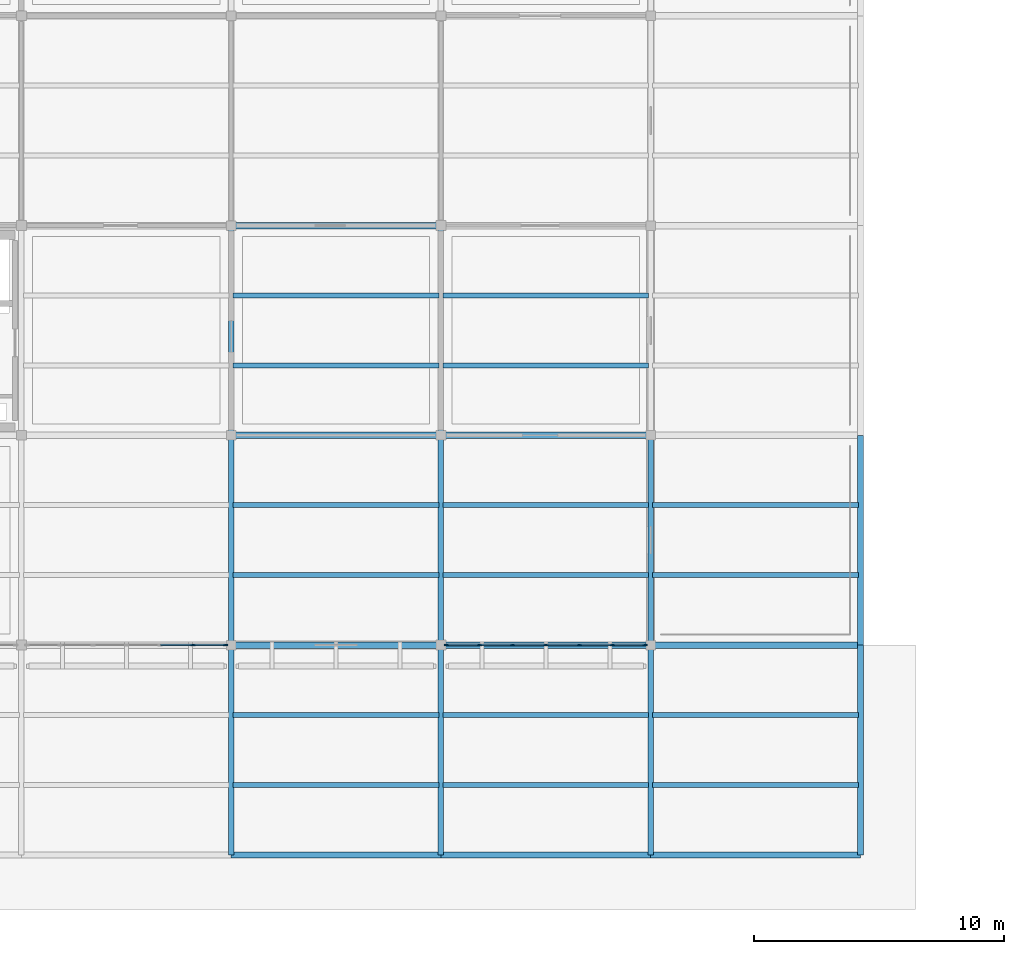
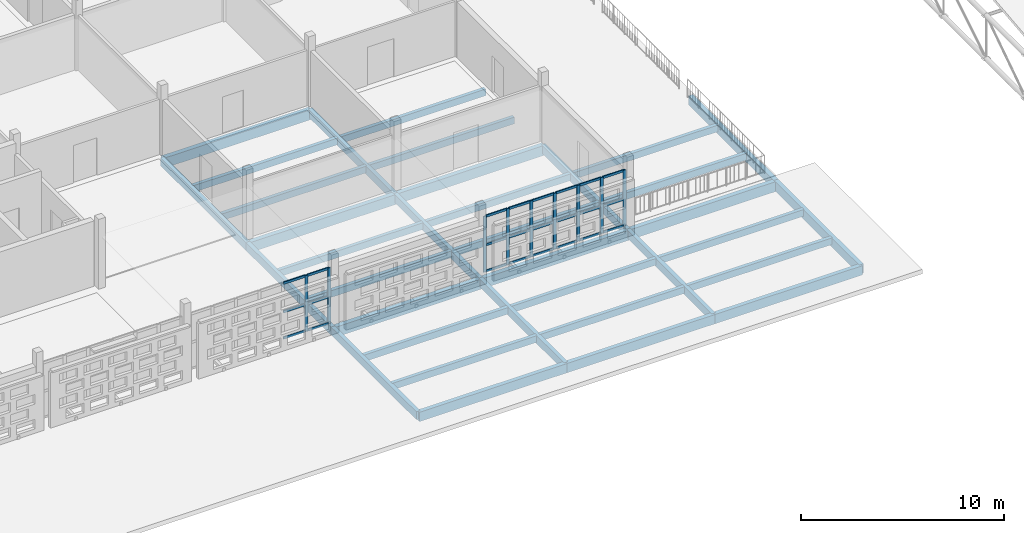
# One storey, part 16 of 140: 35 beams, 33 members, 2 elements without a shape of their own.
"""IFC4 building model written with IfcOpenShell, lengths in metres."""

from ifc_helpers import new_model, si_unit, direction, frame, origin, origin_2d, place, context, subcontext, project, spatial, rectangle, extrude, material, layer, layer_set, material_profile, profile_set, type_object, element, aggregate, save


model = new_model("IFC4")

# Units and contexts
model_context = context("Model", 3, precision=1e-05, world=origin(), true_north=direction((0.0, 1.0)))
body_context = subcontext(model_context, "Body", "Model", "MODEL_VIEW")
ifc_project = project(units=[si_unit("LENGTHUNIT", "METRE"), si_unit("AREAUNIT", "SQUARE_METRE"), si_unit("VOLUMEUNIT", "CUBIC_METRE"), si_unit("PLANEANGLEUNIT", "RADIAN"), si_unit("MASSUNIT", "GRAM", prefix="KILO")], contexts=[model_context])

# Site, building, storey
site_placement = place(None, origin())
site = spatial("IfcSite", under=ifc_project, at=site_placement, CompositionType="ELEMENT")
building_placement = place(site_placement, origin())
building = spatial("IfcBuilding", under=site, at=building_placement, Name="Varnapada Polytechnic", CompositionType="ELEMENT")
storey_placement = place(building_placement, frame((0.0, 0.0, 13.800048828125)))
storey = spatial("IfcBuildingStorey", under=building, at=storey_placement, Name="L03", CompositionType="ELEMENT", Elevation=13.800048828125)

# Beams
ifc_material_1 = material(Name="Glulam GL32h", Category="wood")
ifc_material_profile_1 = material_profile(ifc_material_1, rectangle(XDim=0.199951171875, YDim=0.39990234375, at=origin_2d()), Name="GL 200x400")
ifc_profile_set_1 = profile_set([ifc_material_profile_1], Name="Glulam GL32h")
beam_type_1 = type_object("IfcBeamType", Name="Library/laboratory glulam floor joist GJ-01 (GL 200x400)", PredefinedType="JOIST", material=ifc_profile_set_1)
for number, where, z_axis, x_axis, name in (
    (1, (33.679931640625, 2.800048828125, -0.469970703125), (1.0, 0.0, 0.0), (0.0, 1.0, 0.0), "L03 floor joist 5/1.1"),
    (2, (33.679931640625, 5.60009765625, -0.469970703125), (1.0, 0.0, 0.0), (0.0, 1.0, 0.0), "L03 floor joist 5/1.2"),
    (3, (33.679931640625, 11.199951171875, -0.469970703125), (1.0, 0.0, 0.0), (0.0, 1.0, 0.0), "L03 floor joist 5/2.1"),
    (4, (33.679931640625, 14.0, -0.469970703125), (1.0, 0.0, 0.0), (0.0, 1.0, 0.0), "L03 floor joist 5/2.2"),
    (5, (33.679931640625, 19.60009765625, -0.469970703125), (1.0, 0.0, 0.0), (0.0, 1.0, 0.0), "L03 floor joist 5/3.1"),
    (6, (33.679931640625, 22.39990234375, -0.469970703125), (1.0, 0.0, 0.0), (0.0, 1.0, 0.0), "L03 floor joist 5/3.2"),
    (7, (42.080078125, 2.800048828125, -0.469970703125), (1.0, 0.0, 0.0), (0.0, 1.0, 0.0), "L03 floor joist 6/1.1"),
    (8, (42.080078125, 5.60009765625, -0.469970703125), (1.0, 0.0, 0.0), (0.0, 1.0, 0.0), "L03 floor joist 6/1.2"),
    (9, (42.080078125, 11.199951171875, -0.469970703125), (1.0, 0.0, 0.0), (0.0, 1.0, 0.0), "L03 floor joist 6/2.1"),
    (10, (42.080078125, 14.0, -0.469970703125), (1.0, 0.0, 0.0), (0.0, 1.0, 0.0), "L03 floor joist 6/2.2"),
    (11, (42.080078125, 19.60009765625, -0.469970703125), (1.0, 0.0, 0.0), (0.0, 1.0, 0.0), "L03 floor joist 6/3.1"),
    (12, (42.080078125, 22.39990234375, -0.469970703125), (1.0, 0.0, 0.0), (0.0, 1.0, 0.0), "L03 floor joist 6/3.2"),
    (13, (50.47998046875, 2.800048828125, -0.469970703125), (1.0, 0.0, 0.0), (0.0, 1.0, 0.0), "L03 floor joist 7/1.1"),
    (14, (50.47998046875, 5.60009765625, -0.469970703125), (1.0, 0.0, 0.0), (0.0, 1.0, 0.0), "L03 floor joist 7/1.2"),
    (15, (50.47998046875, 11.199951171875, -0.469970703125), (1.0, 0.0, 0.0), (0.0, 1.0, 0.0), "L03 floor joist 7/2.1"),
    (16, (50.47998046875, 14.0, -0.469970703125), (1.0, 0.0, 0.0), (0.0, 1.0, 0.0), "L03 floor joist 7/2.2"),
):
    element("IfcBeam", number, at=place(storey_placement, frame(where, z_axis=z_axis, x_axis=x_axis)), inside=storey, type_object=beam_type_1, Name=name, PredefinedType="JOIST", context=body_context, shape_type="SweptSolid", body=[
        extrude(rectangle(XDim=0.199951171875, YDim=0.39990234375, at=origin_2d()), origin(), (0.0, 0.0, 1.0), 8.239990234375),
    ])

# Curtain wall, members
ifc_material_2 = material(Name="Double low-E laminated glass", Category="glass")
ifc_layer = layer(ifc_material_2, 0.179931640625)
ifc_layer_set = layer_set([ifc_layer], Name="Double low-E laminated glass")
curtain_wall_type = type_object("IfcCurtainWallType", Name="Curtain Wall CW-03", PredefinedType="NOTDEFINED", material=ifc_layer_set)
curtain_wall_1_placement = place(storey_placement, origin())
curtain_wall_1 = element("IfcCurtainWall", 17, at=curtain_wall_1_placement, inside=storey, type_object=curtain_wall_type, Name="L03 unitised curtain wall CW-03 (216)", PredefinedType="NOTDEFINED")
ifc_material_3 = material(Name="Anodised aluminium", Category="aluminium")
ifc_material_profile_2 = material_profile(ifc_material_3, rectangle(XDim=0.06494140625, YDim=0.179931640625, at=origin_2d()), Name="ALU M65x180")
ifc_profile_set_2 = profile_set([ifc_material_profile_2], Name="Anodised aluminium")
member_type_1 = type_object("IfcMemberType", Name="Mullion M-02", PredefinedType="MULLION", material=ifc_profile_set_2)
member_1_placement = place(storey_placement, frame((33.37744140625, 8.39990234375, 0.0), z_axis=(0.0, 0.0, 1.0), x_axis=(0.0, -1.0, 0.0)))
member_1 = element("IfcMember", 18, at=member_1_placement, type_object=member_type_1, Name="CW-03 mullion 1", PredefinedType="MULLION", context=body_context, shape_type="SweptSolid", body=[
    extrude(rectangle(XDim=0.06494140625, YDim=0.179931640625, at=origin_2d()), origin(), (0.0, 0.0, 1.0), 3.35986328125),
])
member_2_placement = place(storey_placement, frame((32.074951171875, 8.39990234375, 0.0), z_axis=(0.0, 0.0, 1.0), x_axis=(0.0, -1.0, 0.0)))
member_2 = element("IfcMember", 19, at=member_2_placement, type_object=member_type_1, Name="CW-03 mullion 2", PredefinedType="MULLION", context=body_context, shape_type="SweptSolid", body=[
    extrude(rectangle(XDim=0.06494140625, YDim=0.179931640625, at=origin_2d()), origin(), (0.0, 0.0, 1.0), 3.35986328125),
])

curtain_wall_2_placement = place(storey_placement, origin())
curtain_wall_2 = element("IfcCurtainWall", 20, at=curtain_wall_2_placement, inside=storey, type_object=curtain_wall_type, Name="L03 unitised curtain wall CW-03 (223)", PredefinedType="NOTDEFINED")
member_3_placement = place(storey_placement, frame((50.177490234375, 8.39990234375, 0.0), z_axis=(0.0, 0.0, 1.0), x_axis=(0.0, -1.0, 0.0)))
member_3 = element("IfcMember", 21, at=member_3_placement, type_object=member_type_1, Name="CW-03 mullion 1", PredefinedType="MULLION", context=body_context, shape_type="SweptSolid", body=[
    extrude(rectangle(XDim=0.06494140625, YDim=0.179931640625, at=origin_2d()), origin(), (0.0, 0.0, 1.0), 3.35986328125),
])
member_4_placement = place(storey_placement, frame((48.875, 8.39990234375, 0.0), z_axis=(0.0, 0.0, 1.0), x_axis=(0.0, -1.0, 0.0)))
member_4 = element("IfcMember", 22, at=member_4_placement, type_object=member_type_1, Name="CW-03 mullion 2", PredefinedType="MULLION", context=body_context, shape_type="SweptSolid", body=[
    extrude(rectangle(XDim=0.06494140625, YDim=0.179931640625, at=origin_2d()), origin(), (0.0, 0.0, 1.0), 3.35986328125),
])
member_5_placement = place(storey_placement, frame((47.5400390625, 8.39990234375, 0.0), z_axis=(0.0, 0.0, 1.0), x_axis=(0.0, -1.0, 0.0)))
member_5 = element("IfcMember", 23, at=member_5_placement, type_object=member_type_1, Name="CW-03 mullion 3", PredefinedType="MULLION", context=body_context, shape_type="SweptSolid", body=[
    extrude(rectangle(XDim=0.06494140625, YDim=0.179931640625, at=origin_2d()), origin(), (0.0, 0.0, 1.0), 3.35986328125),
])
member_6_placement = place(storey_placement, frame((46.205078125, 8.39990234375, 0.0), z_axis=(0.0, 0.0, 1.0), x_axis=(0.0, -1.0, 0.0)))
member_6 = element("IfcMember", 24, at=member_6_placement, type_object=member_type_1, Name="CW-03 mullion 4", PredefinedType="MULLION", context=body_context, shape_type="SweptSolid", body=[
    extrude(rectangle(XDim=0.06494140625, YDim=0.179931640625, at=origin_2d()), origin(), (0.0, 0.0, 1.0), 3.35986328125),
])
member_7_placement = place(storey_placement, frame((44.8701171875, 8.39990234375, 0.0), z_axis=(0.0, 0.0, 1.0), x_axis=(0.0, -1.0, 0.0)))
member_7 = element("IfcMember", 25, at=member_7_placement, type_object=member_type_1, Name="CW-03 mullion 5", PredefinedType="MULLION", context=body_context, shape_type="SweptSolid", body=[
    extrude(rectangle(XDim=0.06494140625, YDim=0.179931640625, at=origin_2d()), origin(), (0.0, 0.0, 1.0), 3.35986328125),
])
member_8_placement = place(storey_placement, frame((43.534912109375, 8.39990234375, 0.0), z_axis=(0.0, 0.0, 1.0), x_axis=(0.0, -1.0, 0.0)))
member_8 = element("IfcMember", 26, at=member_8_placement, type_object=member_type_1, Name="CW-03 mullion 6", PredefinedType="MULLION", context=body_context, shape_type="SweptSolid", body=[
    extrude(rectangle(XDim=0.06494140625, YDim=0.179931640625, at=origin_2d()), origin(), (0.0, 0.0, 1.0), 3.35986328125),
])
member_9_placement = place(storey_placement, frame((42.232421875, 8.39990234375, 0.0), z_axis=(0.0, 0.0, 1.0), x_axis=(0.0, -1.0, 0.0)))
member_9 = element("IfcMember", 27, at=member_9_placement, type_object=member_type_1, Name="CW-03 mullion 7", PredefinedType="MULLION", context=body_context, shape_type="SweptSolid", body=[
    extrude(rectangle(XDim=0.06494140625, YDim=0.179931640625, at=origin_2d()), origin(), (0.0, 0.0, 1.0), 3.35986328125),
])

# Beams
ifc_material_profile_3 = material_profile(ifc_material_1, rectangle(XDim=0.239990234375, YDim=0.56005859375, at=origin_2d()), Name="GL 240x560")
ifc_profile_set_3 = profile_set([ifc_material_profile_3], Name="Glulam GL32h")
beam_type_2 = type_object("IfcBeamType", Name="Perimeter glulam spandrel beam SP-02 (GL 240x560)", PredefinedType="SPANDREL", material=ifc_profile_set_3)
for number, where, z_axis, x_axis, name in (
    (28, (33.60009765625, 0.0, -0.550048828125), (1.0, 0.0, 0.0), (0.0, 1.0, 0.0), "L03 beam X 5-6 at Y1"),
    (29, (42.0, 0.0, -0.550048828125), (1.0, 0.0, 0.0), (0.0, 1.0, 0.0), "L03 beam X 6-7 at Y1"),
):
    element("IfcBeam", number, at=place(storey_placement, frame(where, z_axis=z_axis, x_axis=x_axis)), inside=storey, type_object=beam_type_2, Name=name, PredefinedType="SPANDREL", context=body_context, shape_type="SweptSolid", body=[
        extrude(rectangle(XDim=0.239990234375, YDim=0.56005859375, at=origin_2d()), origin(), (0.0, 0.0, 1.0), 8.39990234375),
    ])
beam_1_placement = place(storey_placement, frame((50.39990234375, 0.0, -0.550048828125), z_axis=(1.0, 0.0, 0.0), x_axis=(0.0, 1.0, 0.0)))
element("IfcBeam", 30, at=beam_1_placement, inside=storey, type_object=beam_type_2, Name="L03 beam X 7-8 at Y1", PredefinedType="SPANDREL", context=body_context, shape_type="SweptSolid", body=[
    extrude(rectangle(XDim=0.239990234375, YDim=0.56005859375, at=origin_2d()), origin(), (0.0, 0.0, 1.0), 8.400146484375),
])
beam_2_placement = place(storey_placement, frame((58.800048828125, 0.0, -0.550048828125), z_axis=(0.0, 1.0, 0.0), x_axis=(-1.0, 0.0, 0.0)))
element("IfcBeam", 31, at=beam_2_placement, inside=storey, type_object=beam_type_2, Name="L03 beam Y 1-2 at X8", PredefinedType="SPANDREL", context=body_context, shape_type="SweptSolid", body=[
    extrude(rectangle(XDim=0.239990234375, YDim=0.56005859375, at=origin_2d()), origin(), (0.0, 0.0, 1.0), 8.39990234375),
])
beam_3_placement = place(storey_placement, frame((58.800048828125, 8.39990234375, -0.550048828125), z_axis=(0.0, 1.0, 0.0), x_axis=(-1.0, 0.0, 0.0)))
element("IfcBeam", 32, at=beam_3_placement, inside=storey, type_object=beam_type_2, Name="L03 beam Y 2-3 at X8", PredefinedType="SPANDREL", context=body_context, shape_type="SweptSolid", body=[
    extrude(rectangle(XDim=0.239990234375, YDim=0.56005859375, at=origin_2d()), origin(), (0.0, 0.0, 1.0), 8.400146484375),
])
ifc_material_profile_4 = material_profile(ifc_material_1, rectangle(XDim=0.260009765625, YDim=0.60009765625, at=origin_2d()), Name="GL 260x600")
ifc_profile_set_4 = profile_set([ifc_material_profile_4], Name="Glulam GL32h")
beam_type_3 = type_object("IfcBeamType", Name="Seminar wing glulam girder GG-05 (GL 260x600)", PredefinedType="BEAM", material=ifc_profile_set_4)
for number, where, z_axis, x_axis, name in (
    (33, (33.60009765625, 8.39990234375, -0.570068359375), (1.0, 0.0, 0.0), (0.0, 1.0, 0.0), "L03 beam X 5-6 at Y2"),
    (34, (33.60009765625, 16.800048828125, -0.570068359375), (1.0, 0.0, 0.0), (0.0, 1.0, 0.0), "L03 beam X 5-6 at Y3"),
    (35, (33.60009765625, 25.199951171875, -0.570068359375), (1.0, 0.0, 0.0), (0.0, 1.0, 0.0), "L03 beam X 5-6 at Y4"),
    (36, (42.0, 8.39990234375, -0.570068359375), (1.0, 0.0, 0.0), (0.0, 1.0, 0.0), "L03 beam X 6-7 at Y2"),
    (37, (42.0, 16.800048828125, -0.570068359375), (1.0, 0.0, 0.0), (0.0, 1.0, 0.0), "L03 beam X 6-7 at Y3"),
):
    element("IfcBeam", number, at=place(storey_placement, frame(where, z_axis=z_axis, x_axis=x_axis)), inside=storey, type_object=beam_type_3, Name=name, PredefinedType="BEAM", context=body_context, shape_type="SweptSolid", body=[
        extrude(rectangle(XDim=0.260009765625, YDim=0.60009765625, at=origin_2d()), origin(), (0.0, 0.0, 1.0), 8.39990234375),
    ])
beam_4_placement = place(storey_placement, frame((50.39990234375, 8.39990234375, -0.570068359375), z_axis=(1.0, 0.0, 0.0), x_axis=(0.0, 1.0, 0.0)))
element("IfcBeam", 38, at=beam_4_placement, inside=storey, type_object=beam_type_3, Name="L03 beam X 7-8 at Y2", PredefinedType="BEAM", context=body_context, shape_type="SweptSolid", body=[
    extrude(rectangle(XDim=0.260009765625, YDim=0.60009765625, at=origin_2d()), origin(), (0.0, 0.0, 1.0), 8.400146484375),
])

# Member
ifc_material_profile_5 = material_profile(ifc_material_3, rectangle(XDim=0.06494140625, YDim=0.139892578125, at=origin_2d()), Name="ALU T65x140")
ifc_profile_set_5 = profile_set([ifc_material_profile_5], Name="Anodised aluminium")
member_type_2 = type_object("IfcMemberType", Name="Transom T-02", PredefinedType="USERDEFINED", material=ifc_profile_set_5)
member_10_placement = place(storey_placement, frame((33.344970703125, 8.39990234375, 0.032470703125), z_axis=(-1.0, 0.0, 0.0), x_axis=(0.0, -1.0, 0.0)))
member_10 = element("IfcMember", 39, at=member_10_placement, type_object=member_type_2, Name="CW-03 transom 1.1", ObjectType="TRANSOM", PredefinedType="USERDEFINED", context=body_context, shape_type="SweptSolid", body=[
    extrude(rectangle(XDim=0.06494140625, YDim=0.139892578125, at=origin_2d()), origin(), (0.0, 0.0, 1.0), 1.237548828125),
])

member_11_placement = place(storey_placement, frame((33.344970703125, 8.39990234375, 1.61279296875), z_axis=(-1.0, 0.0, 0.0), x_axis=(0.0, -1.0, 0.0)))
member_11 = element("IfcMember", 40, at=member_11_placement, type_object=member_type_2, Name="CW-03 transom 1.2", ObjectType="TRANSOM", PredefinedType="USERDEFINED", context=body_context, shape_type="SweptSolid", body=[
    extrude(rectangle(XDim=0.06494140625, YDim=0.139892578125, at=origin_2d()), origin(), (0.0, 0.0, 1.0), 1.237548828125),
])

member_12_placement = place(storey_placement, frame((33.344970703125, 8.39990234375, 3.327392578125), z_axis=(-1.0, 0.0, 0.0), x_axis=(0.0, -1.0, 0.0)))
member_12 = element("IfcMember", 41, at=member_12_placement, type_object=member_type_2, Name="CW-03 transom 1.3", ObjectType="TRANSOM", PredefinedType="USERDEFINED", context=body_context, shape_type="SweptSolid", body=[
    extrude(rectangle(XDim=0.06494140625, YDim=0.139892578125, at=origin_2d()), origin(), (0.0, 0.0, 1.0), 1.237548828125),
])

member_13_placement = place(storey_placement, frame((32.04248046875, 8.39990234375, 0.032470703125), z_axis=(-1.0, 0.0, 0.0), x_axis=(0.0, -1.0, 0.0)))
member_13 = element("IfcMember", 42, at=member_13_placement, type_object=member_type_2, Name="CW-03 transom 2.1", ObjectType="TRANSOM", PredefinedType="USERDEFINED", context=body_context, shape_type="SweptSolid", body=[
    extrude(rectangle(XDim=0.06494140625, YDim=0.139892578125, at=origin_2d()), origin(), (0.0, 0.0, 1.0), 1.27001953125),
])

member_14_placement = place(storey_placement, frame((32.04248046875, 8.39990234375, 1.61279296875), z_axis=(-1.0, 0.0, 0.0), x_axis=(0.0, -1.0, 0.0)))
member_14 = element("IfcMember", 43, at=member_14_placement, type_object=member_type_2, Name="CW-03 transom 2.2", ObjectType="TRANSOM", PredefinedType="USERDEFINED", context=body_context, shape_type="SweptSolid", body=[
    extrude(rectangle(XDim=0.06494140625, YDim=0.139892578125, at=origin_2d()), origin(), (0.0, 0.0, 1.0), 1.27001953125),
])

member_15_placement = place(storey_placement, frame((32.04248046875, 8.39990234375, 3.327392578125), z_axis=(-1.0, 0.0, 0.0), x_axis=(0.0, -1.0, 0.0)))
member_15 = element("IfcMember", 44, at=member_15_placement, type_object=member_type_2, Name="CW-03 transom 2.3", ObjectType="TRANSOM", PredefinedType="USERDEFINED", context=body_context, shape_type="SweptSolid", body=[
    extrude(rectangle(XDim=0.06494140625, YDim=0.139892578125, at=origin_2d()), origin(), (0.0, 0.0, 1.0), 1.27001953125),
])

aggregate(curtain_wall_1, [member_1, member_2, member_10, member_11, member_12, member_13, member_14, member_15])

member_16_placement = place(storey_placement, frame((50.14501953125, 8.39990234375, 0.032470703125), z_axis=(-1.0, 0.0, 0.0), x_axis=(0.0, -1.0, 0.0)))
member_16 = element("IfcMember", 45, at=member_16_placement, type_object=member_type_2, Name="CW-03 transom 1.1", ObjectType="TRANSOM", PredefinedType="USERDEFINED", context=body_context, shape_type="SweptSolid", body=[
    extrude(rectangle(XDim=0.06494140625, YDim=0.139892578125, at=origin_2d()), origin(), (0.0, 0.0, 1.0), 1.237548828125),
])

member_17_placement = place(storey_placement, frame((50.14501953125, 8.39990234375, 1.61279296875), z_axis=(-1.0, 0.0, 0.0), x_axis=(0.0, -1.0, 0.0)))
member_17 = element("IfcMember", 46, at=member_17_placement, type_object=member_type_2, Name="CW-03 transom 1.2", ObjectType="TRANSOM", PredefinedType="USERDEFINED", context=body_context, shape_type="SweptSolid", body=[
    extrude(rectangle(XDim=0.06494140625, YDim=0.139892578125, at=origin_2d()), origin(), (0.0, 0.0, 1.0), 1.237548828125),
])

member_18_placement = place(storey_placement, frame((50.14501953125, 8.39990234375, 3.327392578125), z_axis=(-1.0, 0.0, 0.0), x_axis=(0.0, -1.0, 0.0)))
member_18 = element("IfcMember", 47, at=member_18_placement, type_object=member_type_2, Name="CW-03 transom 1.3", ObjectType="TRANSOM", PredefinedType="USERDEFINED", context=body_context, shape_type="SweptSolid", body=[
    extrude(rectangle(XDim=0.06494140625, YDim=0.139892578125, at=origin_2d()), origin(), (0.0, 0.0, 1.0), 1.237548828125),
])

member_19_placement = place(storey_placement, frame((48.842529296875, 8.39990234375, 0.032470703125), z_axis=(-1.0, 0.0, 0.0), x_axis=(0.0, -1.0, 0.0)))
member_19 = element("IfcMember", 48, at=member_19_placement, type_object=member_type_2, Name="CW-03 transom 2.1", ObjectType="TRANSOM", PredefinedType="USERDEFINED", context=body_context, shape_type="SweptSolid", body=[
    extrude(rectangle(XDim=0.06494140625, YDim=0.139892578125, at=origin_2d()), origin(), (0.0, 0.0, 1.0), 1.27001953125),
])

member_20_placement = place(storey_placement, frame((48.842529296875, 8.39990234375, 1.61279296875), z_axis=(-1.0, 0.0, 0.0), x_axis=(0.0, -1.0, 0.0)))
member_20 = element("IfcMember", 49, at=member_20_placement, type_object=member_type_2, Name="CW-03 transom 2.2", ObjectType="TRANSOM", PredefinedType="USERDEFINED", context=body_context, shape_type="SweptSolid", body=[
    extrude(rectangle(XDim=0.06494140625, YDim=0.139892578125, at=origin_2d()), origin(), (0.0, 0.0, 1.0), 1.27001953125),
])

member_21_placement = place(storey_placement, frame((48.842529296875, 8.39990234375, 3.327392578125), z_axis=(-1.0, 0.0, 0.0), x_axis=(0.0, -1.0, 0.0)))
member_21 = element("IfcMember", 50, at=member_21_placement, type_object=member_type_2, Name="CW-03 transom 2.3", ObjectType="TRANSOM", PredefinedType="USERDEFINED", context=body_context, shape_type="SweptSolid", body=[
    extrude(rectangle(XDim=0.06494140625, YDim=0.139892578125, at=origin_2d()), origin(), (0.0, 0.0, 1.0), 1.27001953125),
])

member_22_placement = place(storey_placement, frame((47.507568359375, 8.39990234375, 0.032470703125), z_axis=(-1.0, 0.0, 0.0), x_axis=(0.0, -1.0, 0.0)))
member_22 = element("IfcMember", 51, at=member_22_placement, type_object=member_type_2, Name="CW-03 transom 3.1", ObjectType="TRANSOM", PredefinedType="USERDEFINED", context=body_context, shape_type="SweptSolid", body=[
    extrude(rectangle(XDim=0.06494140625, YDim=0.139892578125, at=origin_2d()), origin(), (0.0, 0.0, 1.0), 1.27001953125),
])

member_23_placement = place(storey_placement, frame((47.507568359375, 8.39990234375, 1.61279296875), z_axis=(-1.0, 0.0, 0.0), x_axis=(0.0, -1.0, 0.0)))
member_23 = element("IfcMember", 52, at=member_23_placement, type_object=member_type_2, Name="CW-03 transom 3.2", ObjectType="TRANSOM", PredefinedType="USERDEFINED", context=body_context, shape_type="SweptSolid", body=[
    extrude(rectangle(XDim=0.06494140625, YDim=0.139892578125, at=origin_2d()), origin(), (0.0, 0.0, 1.0), 1.27001953125),
])

member_24_placement = place(storey_placement, frame((47.507568359375, 8.39990234375, 3.327392578125), z_axis=(-1.0, 0.0, 0.0), x_axis=(0.0, -1.0, 0.0)))
member_24 = element("IfcMember", 53, at=member_24_placement, type_object=member_type_2, Name="CW-03 transom 3.3", ObjectType="TRANSOM", PredefinedType="USERDEFINED", context=body_context, shape_type="SweptSolid", body=[
    extrude(rectangle(XDim=0.06494140625, YDim=0.139892578125, at=origin_2d()), origin(), (0.0, 0.0, 1.0), 1.27001953125),
])

member_25_placement = place(storey_placement, frame((46.172607421875, 8.39990234375, 0.032470703125), z_axis=(-1.0, 0.0, 0.0), x_axis=(0.0, -1.0, 0.0)))
member_25 = element("IfcMember", 54, at=member_25_placement, type_object=member_type_2, Name="CW-03 transom 4.1", ObjectType="TRANSOM", PredefinedType="USERDEFINED", context=body_context, shape_type="SweptSolid", body=[
    extrude(rectangle(XDim=0.06494140625, YDim=0.139892578125, at=origin_2d()), origin(), (0.0, 0.0, 1.0), 1.27001953125),
])

member_26_placement = place(storey_placement, frame((46.172607421875, 8.39990234375, 1.61279296875), z_axis=(-1.0, 0.0, 0.0), x_axis=(0.0, -1.0, 0.0)))
member_26 = element("IfcMember", 55, at=member_26_placement, type_object=member_type_2, Name="CW-03 transom 4.2", ObjectType="TRANSOM", PredefinedType="USERDEFINED", context=body_context, shape_type="SweptSolid", body=[
    extrude(rectangle(XDim=0.06494140625, YDim=0.139892578125, at=origin_2d()), origin(), (0.0, 0.0, 1.0), 1.27001953125),
])

member_27_placement = place(storey_placement, frame((46.172607421875, 8.39990234375, 3.327392578125), z_axis=(-1.0, 0.0, 0.0), x_axis=(0.0, -1.0, 0.0)))
member_27 = element("IfcMember", 56, at=member_27_placement, type_object=member_type_2, Name="CW-03 transom 4.3", ObjectType="TRANSOM", PredefinedType="USERDEFINED", context=body_context, shape_type="SweptSolid", body=[
    extrude(rectangle(XDim=0.06494140625, YDim=0.139892578125, at=origin_2d()), origin(), (0.0, 0.0, 1.0), 1.27001953125),
])

member_28_placement = place(storey_placement, frame((44.83740234375, 8.39990234375, 0.032470703125), z_axis=(-1.0, 0.0, 0.0), x_axis=(0.0, -1.0, 0.0)))
member_28 = element("IfcMember", 57, at=member_28_placement, type_object=member_type_2, Name="CW-03 transom 5.1", ObjectType="TRANSOM", PredefinedType="USERDEFINED", context=body_context, shape_type="SweptSolid", body=[
    extrude(rectangle(XDim=0.06494140625, YDim=0.139892578125, at=origin_2d()), origin(), (0.0, 0.0, 1.0), 1.27001953125),
])

member_29_placement = place(storey_placement, frame((44.83740234375, 8.39990234375, 1.61279296875), z_axis=(-1.0, 0.0, 0.0), x_axis=(0.0, -1.0, 0.0)))
member_29 = element("IfcMember", 58, at=member_29_placement, type_object=member_type_2, Name="CW-03 transom 5.2", ObjectType="TRANSOM", PredefinedType="USERDEFINED", context=body_context, shape_type="SweptSolid", body=[
    extrude(rectangle(XDim=0.06494140625, YDim=0.139892578125, at=origin_2d()), origin(), (0.0, 0.0, 1.0), 1.27001953125),
])

member_30_placement = place(storey_placement, frame((44.83740234375, 8.39990234375, 3.327392578125), z_axis=(-1.0, 0.0, 0.0), x_axis=(0.0, -1.0, 0.0)))
member_30 = element("IfcMember", 59, at=member_30_placement, type_object=member_type_2, Name="CW-03 transom 5.3", ObjectType="TRANSOM", PredefinedType="USERDEFINED", context=body_context, shape_type="SweptSolid", body=[
    extrude(rectangle(XDim=0.06494140625, YDim=0.139892578125, at=origin_2d()), origin(), (0.0, 0.0, 1.0), 1.27001953125),
])

member_31_placement = place(storey_placement, frame((43.50244140625, 8.39990234375, 0.032470703125), z_axis=(-1.0, 0.0, 0.0), x_axis=(0.0, -1.0, 0.0)))
member_31 = element("IfcMember", 60, at=member_31_placement, type_object=member_type_2, Name="CW-03 transom 6.1", ObjectType="TRANSOM", PredefinedType="USERDEFINED", context=body_context, shape_type="SweptSolid", body=[
    extrude(rectangle(XDim=0.06494140625, YDim=0.139892578125, at=origin_2d()), origin(), (0.0, 0.0, 1.0), 1.237548828125),
])

member_32_placement = place(storey_placement, frame((43.50244140625, 8.39990234375, 1.61279296875), z_axis=(-1.0, 0.0, 0.0), x_axis=(0.0, -1.0, 0.0)))
member_32 = element("IfcMember", 61, at=member_32_placement, type_object=member_type_2, Name="CW-03 transom 6.2", ObjectType="TRANSOM", PredefinedType="USERDEFINED", context=body_context, shape_type="SweptSolid", body=[
    extrude(rectangle(XDim=0.06494140625, YDim=0.139892578125, at=origin_2d()), origin(), (0.0, 0.0, 1.0), 1.237548828125),
])

member_33_placement = place(storey_placement, frame((43.50244140625, 8.39990234375, 3.327392578125), z_axis=(-1.0, 0.0, 0.0), x_axis=(0.0, -1.0, 0.0)))
member_33 = element("IfcMember", 62, at=member_33_placement, type_object=member_type_2, Name="CW-03 transom 6.3", ObjectType="TRANSOM", PredefinedType="USERDEFINED", context=body_context, shape_type="SweptSolid", body=[
    extrude(rectangle(XDim=0.06494140625, YDim=0.139892578125, at=origin_2d()), origin(), (0.0, 0.0, 1.0), 1.237548828125),
])

aggregate(curtain_wall_2, [member_3, member_4, member_5, member_6, member_7, member_8, member_9, member_16, member_17, member_18, member_19, member_20, member_21, member_22, member_23, member_24, member_25, member_26, member_27, member_28, member_29, member_30, member_31, member_32, member_33])

# Beams
ifc_material_profile_6 = material_profile(ifc_material_1, rectangle(XDim=0.219970703125, YDim=0.47998046875, at=origin_2d()), Name="GL 220x480")
ifc_profile_set_6 = profile_set([ifc_material_profile_6], Name="Glulam GL32h")
beam_type_4 = type_object("IfcBeamType", Name="Upper floor glulam tie beam GB-11 (GL 220x480)", PredefinedType="BEAM", material=ifc_profile_set_6)
beam_5_placement = place(storey_placement, frame((33.60009765625, 0.0, -0.510009765625), z_axis=(0.0, 1.0, 0.0), x_axis=(-1.0, 0.0, 0.0)))
element("IfcBeam", 63, at=beam_5_placement, inside=storey, type_object=beam_type_4, Name="L03 beam Y 1-2 at X5", PredefinedType="BEAM", context=body_context, shape_type="SweptSolid", body=[
    extrude(rectangle(XDim=0.219970703125, YDim=0.47998046875, at=origin_2d()), origin(), (0.0, 0.0, 1.0), 8.39990234375),
])
beam_6_placement = place(storey_placement, frame((33.60009765625, 8.39990234375, -0.510009765625), z_axis=(0.0, 1.0, 0.0), x_axis=(-1.0, 0.0, 0.0)))
element("IfcBeam", 64, at=beam_6_placement, inside=storey, type_object=beam_type_4, Name="L03 beam Y 2-3 at X5", PredefinedType="BEAM", context=body_context, shape_type="SweptSolid", body=[
    extrude(rectangle(XDim=0.219970703125, YDim=0.47998046875, at=origin_2d()), origin(), (0.0, 0.0, 1.0), 8.400146484375),
])
for number, where, z_axis, x_axis, name in (
    (65, (33.60009765625, 16.800048828125, -0.510009765625), (0.0, 1.0, 0.0), (-1.0, 0.0, 0.0), "L03 beam Y 3-4 at X5"),
    (66, (42.0, 0.0, -0.510009765625), (0.0, 1.0, 0.0), (-1.0, 0.0, 0.0), "L03 beam Y 1-2 at X6"),
):
    element("IfcBeam", number, at=place(storey_placement, frame(where, z_axis=z_axis, x_axis=x_axis)), inside=storey, type_object=beam_type_4, Name=name, PredefinedType="BEAM", context=body_context, shape_type="SweptSolid", body=[
        extrude(rectangle(XDim=0.219970703125, YDim=0.47998046875, at=origin_2d()), origin(), (0.0, 0.0, 1.0), 8.39990234375),
    ])
beam_7_placement = place(storey_placement, frame((42.0, 8.39990234375, -0.510009765625), z_axis=(0.0, 1.0, 0.0), x_axis=(-1.0, 0.0, 0.0)))
element("IfcBeam", 67, at=beam_7_placement, inside=storey, type_object=beam_type_4, Name="L03 beam Y 2-3 at X6", PredefinedType="BEAM", context=body_context, shape_type="SweptSolid", body=[
    extrude(rectangle(XDim=0.219970703125, YDim=0.47998046875, at=origin_2d()), origin(), (0.0, 0.0, 1.0), 8.400146484375),
])
for number, where, z_axis, x_axis, name in (
    (68, (42.0, 16.800048828125, -0.510009765625), (0.0, 1.0, 0.0), (-1.0, 0.0, 0.0), "L03 beam Y 3-4 at X6"),
    (69, (50.39990234375, 0.0, -0.510009765625), (0.0, 1.0, 0.0), (-1.0, 0.0, 0.0), "L03 beam Y 1-2 at X7"),
):
    element("IfcBeam", number, at=place(storey_placement, frame(where, z_axis=z_axis, x_axis=x_axis)), inside=storey, type_object=beam_type_4, Name=name, PredefinedType="BEAM", context=body_context, shape_type="SweptSolid", body=[
        extrude(rectangle(XDim=0.219970703125, YDim=0.47998046875, at=origin_2d()), origin(), (0.0, 0.0, 1.0), 8.39990234375),
    ])
beam_8_placement = place(storey_placement, frame((50.39990234375, 8.39990234375, -0.510009765625), z_axis=(0.0, 1.0, 0.0), x_axis=(-1.0, 0.0, 0.0)))
element("IfcBeam", 70, at=beam_8_placement, inside=storey, type_object=beam_type_4, Name="L03 beam Y 2-3 at X7", PredefinedType="BEAM", context=body_context, shape_type="SweptSolid", body=[
    extrude(rectangle(XDim=0.219970703125, YDim=0.47998046875, at=origin_2d()), origin(), (0.0, 0.0, 1.0), 8.400146484375),
])

save(model, "model.ifc")
